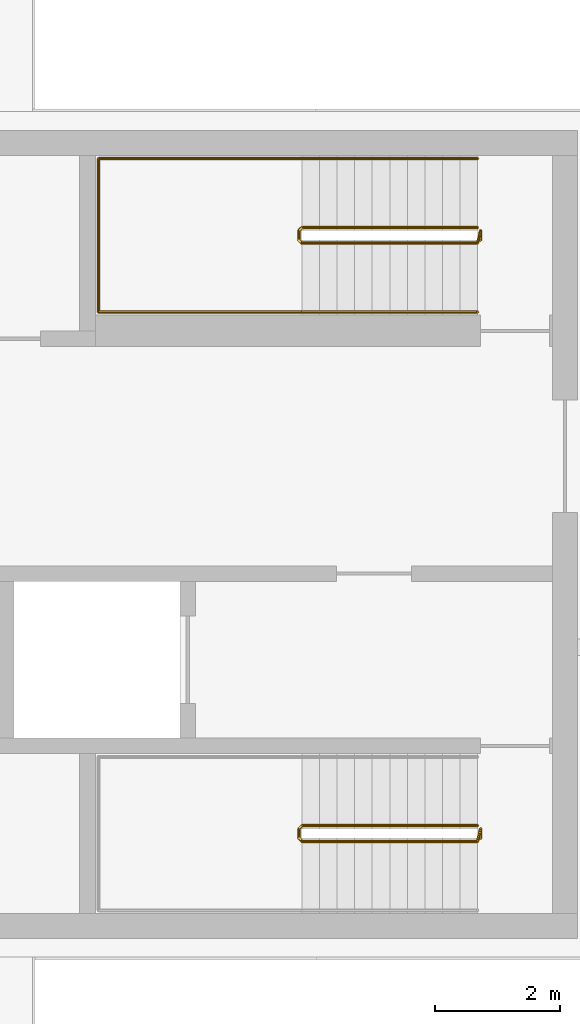
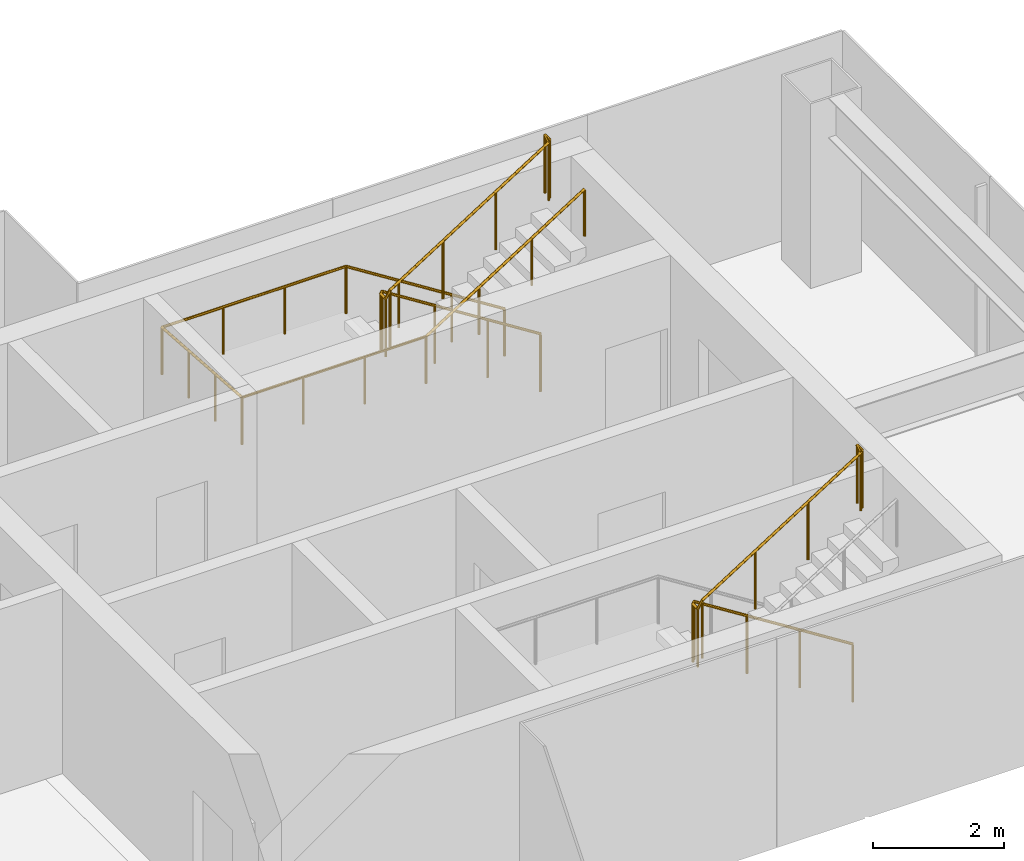
# One storey, part 15 of 15: 3 railings.
"""IFC4 building model written with IfcOpenShell, lengths in metres."""

from ifc_helpers import new_model, si_unit, direction, frame, origin, origin_2d, place, context, subcontext, project, spatial, circle, extrude, material, type_object, element, save


model = new_model("IFC4")

# Units and contexts
model_context = context("Model", 3, precision=1e-05, world=origin(), true_north=direction((0.0, 1.0)))
body_context = subcontext(model_context, "Body", "Model", "MODEL_VIEW")
ifc_project = project(units=[si_unit("LENGTHUNIT", "METRE"), si_unit("AREAUNIT", "SQUARE_METRE"), si_unit("VOLUMEUNIT", "CUBIC_METRE"), si_unit("PLANEANGLEUNIT", "RADIAN"), si_unit("MASSUNIT", "GRAM", prefix="KILO")], contexts=[model_context])

# Site, building, storey
site_placement = place(None, origin())
site = spatial("IfcSite", under=ifc_project, at=site_placement, CompositionType="ELEMENT")
building_placement = place(site_placement, origin())
building = spatial("IfcBuilding", under=site, at=building_placement, Name="Shamsa Quay Exchange Towers", CompositionType="ELEMENT")
storey_placement = place(building_placement, frame((0.0, 0.0, 269.39990234375)))
storey = spatial("IfcBuildingStorey", under=building, at=storey_placement, Name="L65", CompositionType="ELEMENT", Elevation=269.39990234375)

# Railings
ifc_material = material(Name="Stainless steel", Category="steel")
railing_type_1 = type_object("IfcRailingType", Name="STAIR GUARD 1100", PredefinedType="GUARDRAIL", material=ifc_material)
railing_1_placement = place(storey_placement, frame((52.10009765625, -4.64990234375, 0.177490234375)))
element("IfcRailing", 1, at=railing_1_placement, inside=storey, type_object=railing_type_1, Name="L65 ST5 stair guard 1", PredefinedType="GUARDRAIL", context=body_context, shape_type="SweptSolid", body=[
    extrude(circle(Radius=0.02392578125, at=origin_2d()), frame((0.0, 0.0, 1.076171875), z_axis=(-0.844908973607, 0.0, 0.534910110503), x_axis=(0.0, -1.0, 0.0)), (0.0, 0.0, 1.0), 3.31396484375),
    extrude(circle(Radius=0.02392578125, at=origin_2d()), frame((-2.800048828125, 0.0, 2.8486328125), z_axis=(-0.707106781187, -0.707106781187, 0.0), x_axis=(0.707106781187, -0.707106781187, 0.0)), (0.0, 0.0, 1.0), 0.07080078125),
    extrude(circle(Radius=0.02392578125, at=origin_2d()), frame((-2.85009765625, -0.050048828125, 2.8486328125), z_axis=(0.0, -1.0, 0.0), x_axis=(1.0, 0.0, 0.0)), (0.0, 0.0, 1.0), 0.150146484375),
    extrude(circle(Radius=0.02392578125, at=origin_2d()), frame((-2.85009765625, -0.2001953125, 2.8486328125), z_axis=(0.262321481514, -0.261041864531, 0.929001929653), x_axis=(0.705375805398, 0.708833529934, 0.0)), (0.0, 0.0, 1.0), 0.190673828125),
    extrude(circle(Radius=0.02392578125, at=origin_2d()), frame((-2.800048828125, -0.25, 3.02587890625), z_axis=(0.844908973607, 0.0, 0.534910110503), x_axis=(0.0, 1.0, 0.0)), (0.0, 0.0, 1.0), 3.31396484375),
    extrude(circle(Radius=0.02392578125, at=origin_2d()), frame((0.0, -0.25, 4.798828125), z_axis=(0.241699205484, 0.970351222016, 0.0), x_axis=(-0.970351222016, 0.241699205484, 0.0)), (0.0, 0.0, 1.0), 0.2060546875),
    extrude(circle(Radius=0.02392578125, at=origin_2d()), frame((0.0498046875, -0.050048828125, 4.798828125), z_axis=(0.0, -1.0, 0.0), x_axis=(1.0, 0.0, 0.0)), (0.0, 0.0, 1.0), 0.150146484375),
    extrude(circle(Radius=0.02099609375, at=origin_2d()), origin(), (0.0, 0.0, 1.0), 1.052001953125),
    extrude(circle(Radius=0.02099609375, at=origin_2d()), frame((-0.933349609375, 0.0, 0.5908203125)), (0.0, 0.0, 1.0), 1.052001953125),
    extrude(circle(Radius=0.02099609375, at=origin_2d()), frame((-1.86669921875, 0.0, 1.181884765625)), (0.0, 0.0, 1.0), 1.052001953125),
    extrude(circle(Radius=0.02099609375, at=origin_2d()), frame((-2.800048828125, 0.0, 1.772705078125)), (0.0, 0.0, 1.0), 1.052001953125),
    extrude(circle(Radius=0.02099609375, at=origin_2d()), frame((-2.85009765625, -0.050048828125, 1.772705078125)), (0.0, 0.0, 1.0), 1.052001953125),
    extrude(circle(Radius=0.02099609375, at=origin_2d()), frame((-2.85009765625, -0.2001953125, 1.772705078125)), (0.0, 0.0, 1.0), 1.052001953125),
    extrude(circle(Radius=0.02099609375, at=origin_2d()), frame((-2.800048828125, -0.25, 1.949951171875)), (0.0, 0.0, 1.0), 1.052001953125),
    extrude(circle(Radius=0.02099609375, at=origin_2d()), frame((-1.86669921875, -0.25, 2.540771484375)), (0.0, 0.0, 1.0), 1.052001953125),
    extrude(circle(Radius=0.02099609375, at=origin_2d()), frame((-0.933349609375, -0.25, 3.1318359375)), (0.0, 0.0, 1.0), 1.052001953125),
    extrude(circle(Radius=0.02099609375, at=origin_2d()), frame((0.0, -0.25, 3.72265625)), (0.0, 0.0, 1.0), 1.052001953125),
    extrude(circle(Radius=0.02099609375, at=origin_2d()), frame((0.0498046875, -0.050048828125, 3.72265625)), (0.0, 0.0, 1.0), 1.052001953125),
    extrude(circle(Radius=0.02099609375, at=origin_2d()), frame((0.0498046875, -0.2001953125, 3.72265625)), (0.0, 0.0, 1.0), 1.052001953125),
])
railing_2_placement = place(storey_placement, frame((52.10009765625, 4.89990234375, 0.177490234375)))
element("IfcRailing", 2, at=railing_2_placement, inside=storey, type_object=railing_type_1, Name="L65 ST6 stair guard 1", PredefinedType="GUARDRAIL", context=body_context, shape_type="SweptSolid", body=[
    extrude(circle(Radius=0.02392578125, at=origin_2d()), frame((0.0, 0.0, 1.076171875), z_axis=(-0.844908973607, 0.0, 0.534910110503), x_axis=(0.0, -1.0, 0.0)), (0.0, 0.0, 1.0), 3.31396484375),
    extrude(circle(Radius=0.02392578125, at=origin_2d()), frame((-2.800048828125, 0.0, 2.8486328125), z_axis=(-0.708833529934, -0.705375805398, 0.0), x_axis=(0.705375805398, -0.708833529934, 0.0)), (0.0, 0.0, 1.0), 0.070556640625),
    extrude(circle(Radius=0.02392578125, at=origin_2d()), frame((-2.85009765625, -0.0498046875, 2.8486328125), z_axis=(0.0, -1.0, 0.0), x_axis=(1.0, 0.0, 0.0)), (0.0, 0.0, 1.0), 0.150146484375),
    extrude(circle(Radius=0.02392578125, at=origin_2d()), frame((-2.85009765625, -0.199951171875, 2.8486328125), z_axis=(0.262233686654, -0.262233686654, 0.928691007369), x_axis=(0.707106781187, 0.707106781187, 0.0)), (0.0, 0.0, 1.0), 0.19091796875),
    extrude(circle(Radius=0.02392578125, at=origin_2d()), frame((-2.800048828125, -0.25, 3.02587890625), z_axis=(0.844908973607, 0.0, 0.534910110503), x_axis=(0.0, 1.0, 0.0)), (0.0, 0.0, 1.0), 3.31396484375),
    extrude(circle(Radius=0.02392578125, at=origin_2d()), frame((0.0, -0.25, 4.798828125), z_axis=(0.24142163986, 0.970420317083, 0.0), x_axis=(-0.970420317083, 0.24142163986, 0.0)), (0.0, 0.0, 1.0), 0.206298828125),
    extrude(circle(Radius=0.02392578125, at=origin_2d()), frame((0.0498046875, -0.0498046875, 4.798828125), z_axis=(0.0, -1.0, 0.0), x_axis=(1.0, 0.0, 0.0)), (0.0, 0.0, 1.0), 0.150146484375),
    extrude(circle(Radius=0.02099609375, at=origin_2d()), origin(), (0.0, 0.0, 1.0), 1.052001953125),
    extrude(circle(Radius=0.02099609375, at=origin_2d()), frame((-0.933349609375, 0.0, 0.5908203125)), (0.0, 0.0, 1.0), 1.052001953125),
    extrude(circle(Radius=0.02099609375, at=origin_2d()), frame((-1.86669921875, 0.0, 1.181884765625)), (0.0, 0.0, 1.0), 1.052001953125),
    extrude(circle(Radius=0.02099609375, at=origin_2d()), frame((-2.800048828125, 0.0, 1.772705078125)), (0.0, 0.0, 1.0), 1.052001953125),
    extrude(circle(Radius=0.02099609375, at=origin_2d()), frame((-2.85009765625, -0.0498046875, 1.772705078125)), (0.0, 0.0, 1.0), 1.052001953125),
    extrude(circle(Radius=0.02099609375, at=origin_2d()), frame((-2.85009765625, -0.199951171875, 1.772705078125)), (0.0, 0.0, 1.0), 1.052001953125),
    extrude(circle(Radius=0.02099609375, at=origin_2d()), frame((-2.800048828125, -0.25, 1.949951171875)), (0.0, 0.0, 1.0), 1.052001953125),
    extrude(circle(Radius=0.02099609375, at=origin_2d()), frame((-1.86669921875, -0.25, 2.540771484375)), (0.0, 0.0, 1.0), 1.052001953125),
    extrude(circle(Radius=0.02099609375, at=origin_2d()), frame((-0.933349609375, -0.25, 3.1318359375)), (0.0, 0.0, 1.0), 1.052001953125),
    extrude(circle(Radius=0.02099609375, at=origin_2d()), frame((0.0, -0.25, 3.72265625)), (0.0, 0.0, 1.0), 1.052001953125),
    extrude(circle(Radius=0.02099609375, at=origin_2d()), frame((0.0498046875, -0.0498046875, 3.72265625)), (0.0, 0.0, 1.0), 1.052001953125),
    extrude(circle(Radius=0.02099609375, at=origin_2d()), frame((0.0498046875, -0.199951171875, 3.72265625)), (0.0, 0.0, 1.0), 1.052001953125),
])
railing_type_2 = type_object("IfcRailingType", Name="STAIR HANDRAIL 900", PredefinedType="HANDRAIL", material=ifc_material)
railing_3_placement = place(storey_placement, frame((52.10009765625, 6.0, 0.177490234375)))
element("IfcRailing", 3, at=railing_3_placement, inside=storey, type_object=railing_type_2, Name="L65 ST6 stair handrail 1", PredefinedType="HANDRAIL", context=body_context, shape_type="SweptSolid", body=[
    extrude(circle(Radius=0.02392578125, at=origin_2d()), frame((0.0, 0.0, 0.8759765625), z_axis=(-0.844908973607, 0.0, 0.534910110503), x_axis=(0.0, -1.0, 0.0)), (0.0, 0.0, 1.0), 3.31396484375),
    extrude(circle(Radius=0.02392578125, at=origin_2d()), frame((-2.800048828125, 0.0, 2.6484375), z_axis=(-1.0, 0.0, 0.0), x_axis=(0.0, -1.0, 0.0)), (0.0, 0.0, 1.0), 3.25),
    extrude(circle(Radius=0.02392578125, at=origin_2d()), frame((-6.050048828125, 0.0, 2.6484375), z_axis=(0.0, -0.997393199914, 0.07215819264), x_axis=(1.0, 0.0, 0.0)), (0.0, 0.0, 1.0), 2.456298828125),
    extrude(circle(Radius=0.02392578125, at=origin_2d()), frame((-6.050048828125, -2.449951171875, 2.82568359375), z_axis=(1.0, 0.0, 0.0), x_axis=(0.0, 1.0, 0.0)), (0.0, 0.0, 1.0), 3.25),
    extrude(circle(Radius=0.02392578125, at=origin_2d()), frame((-2.800048828125, -2.449951171875, 2.82568359375), z_axis=(0.844908973607, 0.0, 0.534910110503), x_axis=(0.0, 1.0, 0.0)), (0.0, 0.0, 1.0), 3.31396484375),
    extrude(circle(Radius=0.02099609375, at=origin_2d()), origin(), (0.0, 0.0, 1.0), 0.851806640625),
    extrude(circle(Radius=0.02099609375, at=origin_2d()), frame((-0.933349609375, 0.0, 0.5908203125)), (0.0, 0.0, 1.0), 0.851806640625),
    extrude(circle(Radius=0.02099609375, at=origin_2d()), frame((-1.86669921875, 0.0, 1.181884765625)), (0.0, 0.0, 1.0), 0.851806640625),
    extrude(circle(Radius=0.02099609375, at=origin_2d()), frame((-2.800048828125, 0.0, 1.772705078125)), (0.0, 0.0, 1.0), 0.851806640625),
    extrude(circle(Radius=0.02099609375, at=origin_2d()), frame((-3.88330078125, 0.0, 1.772705078125)), (0.0, 0.0, 1.0), 0.851806640625),
    extrude(circle(Radius=0.02099609375, at=origin_2d()), frame((-4.966796875, 0.0, 1.772705078125)), (0.0, 0.0, 1.0), 0.851806640625),
    extrude(circle(Radius=0.02099609375, at=origin_2d()), frame((-6.050048828125, 0.0, 1.772705078125)), (0.0, 0.0, 1.0), 0.851806640625),
    extrude(circle(Radius=0.02099609375, at=origin_2d()), frame((-6.050048828125, -0.816650390625, 1.831787109375)), (0.0, 0.0, 1.0), 0.851806640625),
    extrude(circle(Radius=0.02099609375, at=origin_2d()), frame((-6.050048828125, -1.63330078125, 1.890869140625)), (0.0, 0.0, 1.0), 0.851806640625),
    extrude(circle(Radius=0.02099609375, at=origin_2d()), frame((-6.050048828125, -2.449951171875, 1.949951171875)), (0.0, 0.0, 1.0), 0.851806640625),
    extrude(circle(Radius=0.02099609375, at=origin_2d()), frame((-4.966796875, -2.449951171875, 1.949951171875)), (0.0, 0.0, 1.0), 0.851806640625),
    extrude(circle(Radius=0.02099609375, at=origin_2d()), frame((-3.88330078125, -2.449951171875, 1.949951171875)), (0.0, 0.0, 1.0), 0.851806640625),
    extrude(circle(Radius=0.02099609375, at=origin_2d()), frame((-2.800048828125, -2.449951171875, 1.949951171875)), (0.0, 0.0, 1.0), 0.851806640625),
    extrude(circle(Radius=0.02099609375, at=origin_2d()), frame((-1.86669921875, -2.449951171875, 2.540771484375)), (0.0, 0.0, 1.0), 0.851806640625),
    extrude(circle(Radius=0.02099609375, at=origin_2d()), frame((-0.933349609375, -2.449951171875, 3.1318359375)), (0.0, 0.0, 1.0), 0.851806640625),
    extrude(circle(Radius=0.02099609375, at=origin_2d()), frame((0.0, -2.449951171875, 3.72265625)), (0.0, 0.0, 1.0), 0.851806640625),
])

save(model, "model.ifc")
